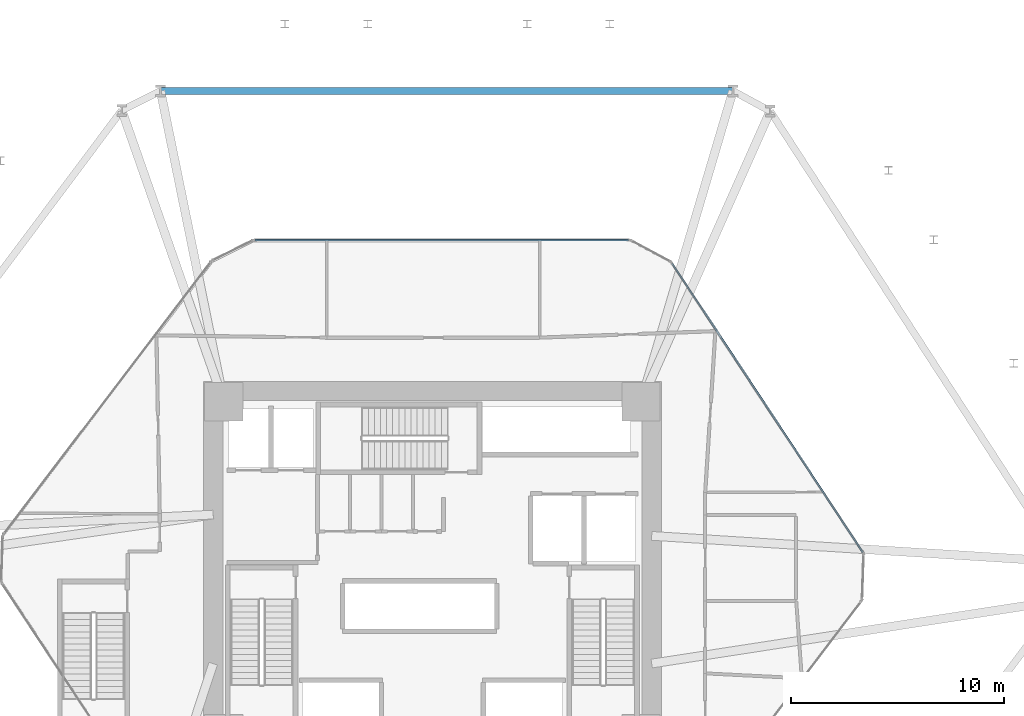
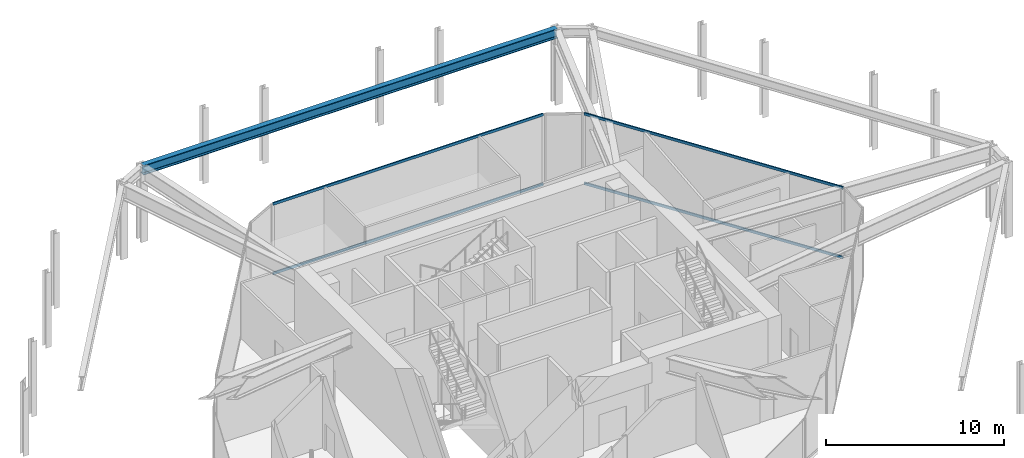
# One storey, part 10 of 16: 4 members, 1 beam, 2 elements without a shape of their own.
"""IFC4 building model written with IfcOpenShell, lengths in metres."""

from ifc_helpers import new_model, si_unit, direction, frame, origin, origin_2d, place, context, subcontext, project, spatial, rectangle, i_section, extrude, source, transform, mapped, material, layer, layer_set, material_profile, profile_set, type_object, type_shapes, element, aggregate, save


model = new_model("IFC4")

# Units and contexts
model_context = context("Model", 3, precision=1e-05, world=origin(), true_north=direction((0.0, 1.0)))
body_context = subcontext(model_context, "Body", "Model", "MODEL_VIEW")
ifc_project = project(units=[si_unit("LENGTHUNIT", "METRE"), si_unit("AREAUNIT", "SQUARE_METRE"), si_unit("VOLUMEUNIT", "CUBIC_METRE"), si_unit("PLANEANGLEUNIT", "RADIAN"), si_unit("MASSUNIT", "GRAM", prefix="KILO")], contexts=[model_context])

# Site, building, storey
site_placement = place(None, origin())
site = spatial("IfcSite", under=ifc_project, at=site_placement, CompositionType="ELEMENT")
building_placement = place(site_placement, origin())
building = spatial("IfcBuilding", under=site, at=building_placement, Name="Durnholm Broadcast Tower", CompositionType="ELEMENT")
storey_placement = place(building_placement, frame((0.0, 0.0, 5.199951171875)))
storey = spatial("IfcBuildingStorey", under=building, at=storey_placement, Name="L01", CompositionType="ELEMENT", Elevation=5.199951171875)

# Beam
ifc_material_1 = material(Name="Steel ASTM A992 Grade 50", Category="steel")
ifc_material_profile_1 = material_profile(ifc_material_1, i_section(OverallWidth=0.3330078125, OverallDepth=0.660888671875, WebThickness=0.0244140625, FlangeThickness=0.0439453125, FilletRadius=0.02783203125, at=origin_2d()), Name="W24X229")
ifc_profile_set_1 = profile_set([ifc_material_profile_1], Name="Steel ASTM A992 Grade 50")
beam_type = type_object("IfcBeamType", Name="STL-SP-W24X229", PredefinedType="SPANDREL", material=ifc_profile_set_1)
shared_shape_1 = source(origin(), body_context, "Body", "SweptSolid", [
    extrude(i_section(OverallWidth=0.3330078125, OverallDepth=0.660888671875, WebThickness=0.0244140625, FlangeThickness=0.0439453125, FilletRadius=0.02783203125, at=origin_2d()), origin(), (0.0, 0.0, 1.0), 26.891357421875),
])
type_shapes(beam_type, [shared_shape_1])
beam_placement = place(storey_placement, frame((-12.77197265625, 22.39990234375, 4.504638671875), z_axis=(1.0, 0.0, 0.0), x_axis=(0.0, 1.0, 0.0)))
element("IfcBeam", 1, at=beam_placement, inside=storey, type_object=beam_type, Name="L01 perimeter spandrel girder 05", PredefinedType="SPANDREL", context=body_context, shape_type="MappedRepresentation", body=[
    mapped(shared_shape_1, transform((0.0, 0.0, 0.0), x_axis=(1.0, 0.0, 0.0), y_axis=(0.0, 1.0, 0.0), z_axis=(0.0, 0.0, 1.0), scale=1.0)),
])

# Curtain wall, members
ifc_material_2 = material(Name="Aluminium and Solar Control IGU", Category="aluminium")
ifc_layer = layer(ifc_material_2, 0.219970703125)
ifc_layer_set = layer_set([ifc_layer], Name="Aluminium and Solar Control IGU")
curtain_wall_type = type_object("IfcCurtainWallType", Name="CW-SYS-1", PredefinedType="NOTDEFINED", material=ifc_layer_set)
curtain_wall_1_placement = place(storey_placement, origin())
curtain_wall_1 = element("IfcCurtainWall", 2, at=curtain_wall_1_placement, inside=storey, type_object=curtain_wall_type, Name="L01 curtain wall CW-LOBBY CW-L01-F04", PredefinedType="NOTDEFINED")
ifc_material_3 = material(Name="Aluminium 6063-T6", Category="aluminium")
ifc_material_profile_2 = material_profile(ifc_material_3, rectangle(XDim=0.074951171875, YDim=0.179931640625, at=origin_2d()), Name="CWT75X180")
ifc_profile_set_2 = profile_set([ifc_material_profile_2], Name="Aluminium 6063-T6")
member_type = type_object("IfcMemberType", Name="CW-SYS-1-TRN", PredefinedType="USERDEFINED", material=ifc_profile_set_2)
shared_shape_2 = source(origin(), body_context, "Body", "SweptSolid", [
    extrude(rectangle(XDim=0.074951171875, YDim=0.179931640625, at=origin_2d()), origin(), (0.0, 0.0, 1.0), 17.533203125),
])
member_1_placement = place(storey_placement, frame((-8.32470703125, 15.39990234375, 0.03759765625), z_axis=(1.0, 0.0, 0.0), x_axis=(0.0, 1.0, 0.0)))
member_1 = element("IfcMember", 3, at=member_1_placement, type_object=member_type, Name="CW-LOBBY transom 1.1", ObjectType="TRANSOM", PredefinedType="USERDEFINED", context=body_context, shape_type="MappedRepresentation", body=[
    mapped(shared_shape_2, transform((0.0, 0.0, 0.0), x_axis=(1.0, 0.0, 0.0), y_axis=(0.0, 1.0, 0.0), z_axis=(0.0, 0.0, 1.0), scale=1.0)),
])
member_2_placement = place(storey_placement, frame((-8.32470703125, 15.39990234375, 4.8125), z_axis=(1.0, 0.0, 0.0), x_axis=(0.0, 1.0, 0.0)))
member_2 = element("IfcMember", 4, at=member_2_placement, type_object=member_type, Name="CW-LOBBY transom 1.2", ObjectType="TRANSOM", PredefinedType="USERDEFINED", context=body_context, shape_type="MappedRepresentation", body=[
    mapped(shared_shape_2, transform((0.0, 0.0, 0.0), x_axis=(1.0, 0.0, 0.0), y_axis=(0.0, 1.0, 0.0), z_axis=(0.0, 0.0, 1.0), scale=1.0)),
])
aggregate(curtain_wall_1, [member_1, member_2])

curtain_wall_2_placement = place(storey_placement, origin())
curtain_wall_2 = element("IfcCurtainWall", 5, at=curtain_wall_2_placement, inside=storey, type_object=curtain_wall_type, Name="L01 curtain wall CW-LOBBY CW-L01-F06", PredefinedType="NOTDEFINED")
shared_shape_3 = source(origin(), body_context, "Body", "SweptSolid", [
    extrude(rectangle(XDim=0.074951171875, YDim=0.179931640625, at=origin_2d()), origin(), (0.0, 0.0, 1.0), 16.248779296875),
])
type_shapes(member_type, [shared_shape_2, shared_shape_3])
member_3_placement = place(storey_placement, frame((11.26220703125, 14.294921875, 0.03759765625), z_axis=(0.551015933412, -0.834494722048, 0.0), x_axis=(0.834494722048, 0.551015933412, 0.0)))
member_3 = element("IfcMember", 6, at=member_3_placement, type_object=member_type, Name="CW-LOBBY transom 1.1", ObjectType="TRANSOM", PredefinedType="USERDEFINED", context=body_context, shape_type="MappedRepresentation", body=[
    mapped(shared_shape_3, transform((0.0, 0.0, 0.0), x_axis=(1.0, 0.0, 0.0), y_axis=(0.0, 1.0, 0.0), z_axis=(0.0, 0.0, 1.0), scale=1.0)),
])
member_4_placement = place(storey_placement, frame((11.26220703125, 14.294921875, 4.8125), z_axis=(0.551015933412, -0.834494722048, 0.0), x_axis=(0.834494722048, 0.551015933412, 0.0)))
member_4 = element("IfcMember", 7, at=member_4_placement, type_object=member_type, Name="CW-LOBBY transom 1.2", ObjectType="TRANSOM", PredefinedType="USERDEFINED", context=body_context, shape_type="MappedRepresentation", body=[
    mapped(shared_shape_3, transform((0.0, 0.0, 0.0), x_axis=(1.0, 0.0, 0.0), y_axis=(0.0, 1.0, 0.0), z_axis=(0.0, 0.0, 1.0), scale=1.0)),
])
aggregate(curtain_wall_2, [member_3, member_4])

save(model, "model.ifc")
